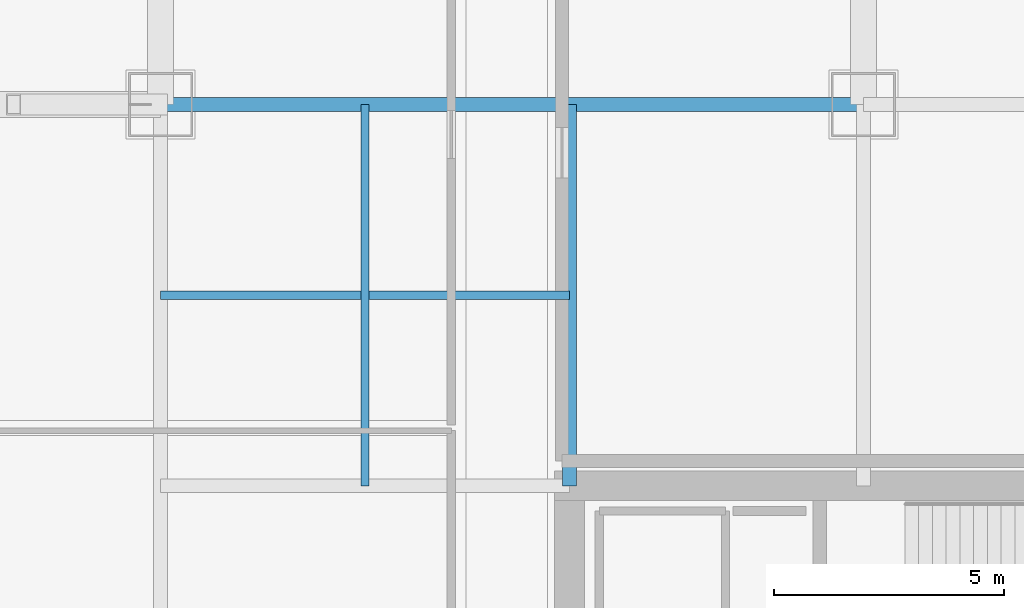
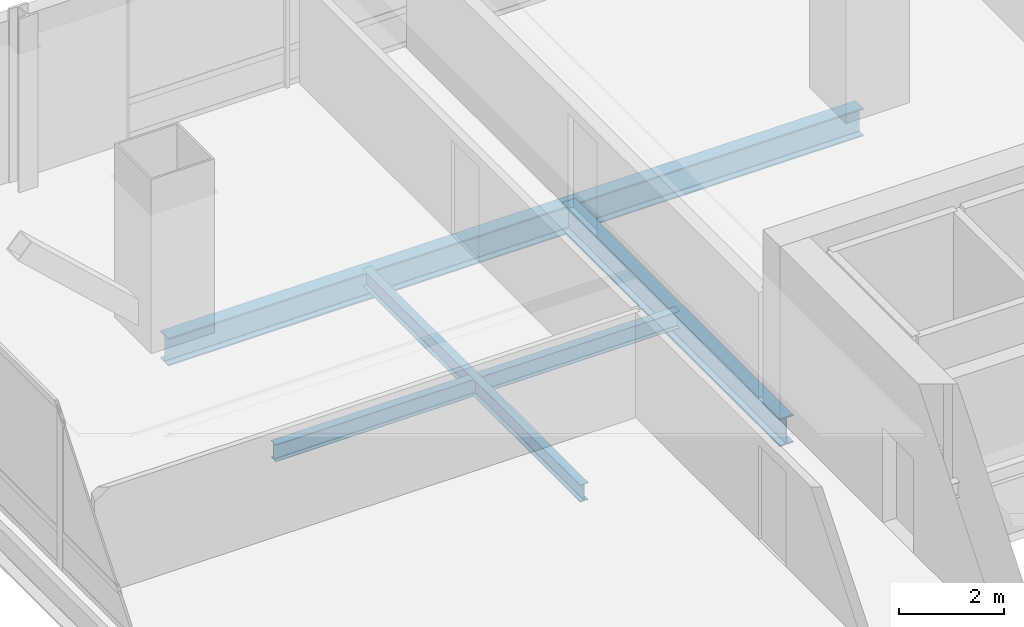
# One storey, part 21 of 47: 4 beams.
"""IFC4 building model written with IfcOpenShell, lengths in metres."""

from ifc_helpers import new_model, si_unit, direction, frame, origin, origin_2d, place, context, subcontext, project, spatial, i_section, extrude, material, material_profile, profile_set, type_object, element, save


model = new_model("IFC4")

# Units and contexts
model_context = context("Model", 3, precision=1e-05, world=origin(), true_north=direction((0.0, 1.0)))
body_context = subcontext(model_context, "Body", "Model", "MODEL_VIEW")
ifc_project = project(units=[si_unit("LENGTHUNIT", "METRE"), si_unit("AREAUNIT", "SQUARE_METRE"), si_unit("VOLUMEUNIT", "CUBIC_METRE"), si_unit("PLANEANGLEUNIT", "RADIAN"), si_unit("MASSUNIT", "GRAM", prefix="KILO")], contexts=[model_context])

# Site, building, storey
site_placement = place(None, origin())
site = spatial("IfcSite", under=ifc_project, at=site_placement, CompositionType="ELEMENT")
building_placement = place(site_placement, origin())
building = spatial("IfcBuilding", under=site, at=building_placement, Name="Punatoya Terracotta Tower", CompositionType="ELEMENT")
storey_placement = place(building_placement, frame((0.0, 0.0, 168.14990234375)))
storey = spatial("IfcBuildingStorey", under=building, at=storey_placement, Name="L39", CompositionType="ELEMENT", Elevation=168.14990234375)

# Beams
ifc_material = material(Name="Steel S355", Category="steel")
ifc_material_profile_1 = material_profile(ifc_material, i_section(OverallWidth=0.300048828125, OverallDepth=0.64990234375, WebThickness=0.01611328125, FlangeThickness=0.031005859375, FilletRadius=0.01806640625, at=origin_2d()))
ifc_profile_set_1 = profile_set([ifc_material_profile_1], Name="Steel S355")
beam_type_1 = type_object("IfcBeamType", Name="BM-PRI-650", PredefinedType="BEAM", material=ifc_profile_set_1)
beam_1_placement = place(storey_placement, frame((-19.10009765625, 17.5, -0.544921875), z_axis=(1.0, 0.0, 0.0), x_axis=(0.0, 1.0, 0.0)))
element("IfcBeam", 1, at=beam_1_placement, inside=storey, type_object=beam_type_1, Name="BM-L39-RG-N1", PredefinedType="BEAM", context=body_context, shape_type="SweptSolid", body=[
    extrude(i_section(OverallWidth=0.300048828125, OverallDepth=0.64990234375, WebThickness=0.01611328125, FlangeThickness=0.031005859375, FilletRadius=0.01806640625, at=origin_2d()), origin(), (0.0, 0.0, 1.0), 15.300048828125),
])
beam_2_placement = place(storey_placement, frame((-10.199951171875, 9.199951171875, -0.544921875), z_axis=(0.0, 1.0, 0.0), x_axis=(-1.0, 0.0, 0.0)))
element("IfcBeam", 2, at=beam_2_placement, inside=storey, type_object=beam_type_1, Name="BM-L39-PR-N1", PredefinedType="BEAM", context=body_context, shape_type="SweptSolid", body=[
    extrude(i_section(OverallWidth=0.300048828125, OverallDepth=0.64990234375, WebThickness=0.01611328125, FlangeThickness=0.031005859375, FilletRadius=0.01806640625, at=origin_2d()), origin(), (0.0, 0.0, 1.0), 8.300048828125),
])
ifc_material_profile_2 = material_profile(ifc_material, i_section(OverallWidth=0.179931640625, OverallDepth=0.39990234375, WebThickness=0.008544921875, FlangeThickness=0.013427734375, FilletRadius=0.01806640625, at=origin_2d()))
ifc_profile_set_2 = profile_set([ifc_material_profile_2], Name="Steel S355")
beam_type_2 = type_object("IfcBeamType", Name="BM-SEC-400", PredefinedType="JOIST", material=ifc_profile_set_2)
beam_3_placement = place(storey_placement, frame((-19.10009765625, 13.35009765625, -0.419921875), z_axis=(1.0, 0.0, 0.0), x_axis=(0.0, 1.0, 0.0)))
element("IfcBeam", 3, at=beam_3_placement, inside=storey, type_object=beam_type_2, Name="BM-L39-SJN-1", PredefinedType="JOIST", context=body_context, shape_type="SweptSolid", body=[
    extrude(i_section(OverallWidth=0.179931640625, OverallDepth=0.39990234375, WebThickness=0.008544921875, FlangeThickness=0.013427734375, FilletRadius=0.01806640625, at=origin_2d()), origin(), (0.0, 0.0, 1.0), 8.900146484375),
])
beam_4_placement = place(storey_placement, frame((-14.64990234375, 9.199951171875, -0.419921875), z_axis=(0.0, 1.0, 0.0), x_axis=(-1.0, 0.0, 0.0)))
element("IfcBeam", 4, at=beam_4_placement, inside=storey, type_object=beam_type_2, Name="BM-L39-SJW-2", PredefinedType="JOIST", context=body_context, shape_type="SweptSolid", body=[
    extrude(i_section(OverallWidth=0.179931640625, OverallDepth=0.39990234375, WebThickness=0.008544921875, FlangeThickness=0.013427734375, FilletRadius=0.01806640625, at=origin_2d()), origin(), (0.0, 0.0, 1.0), 8.300048828125),
])

save(model, "model.ifc")
